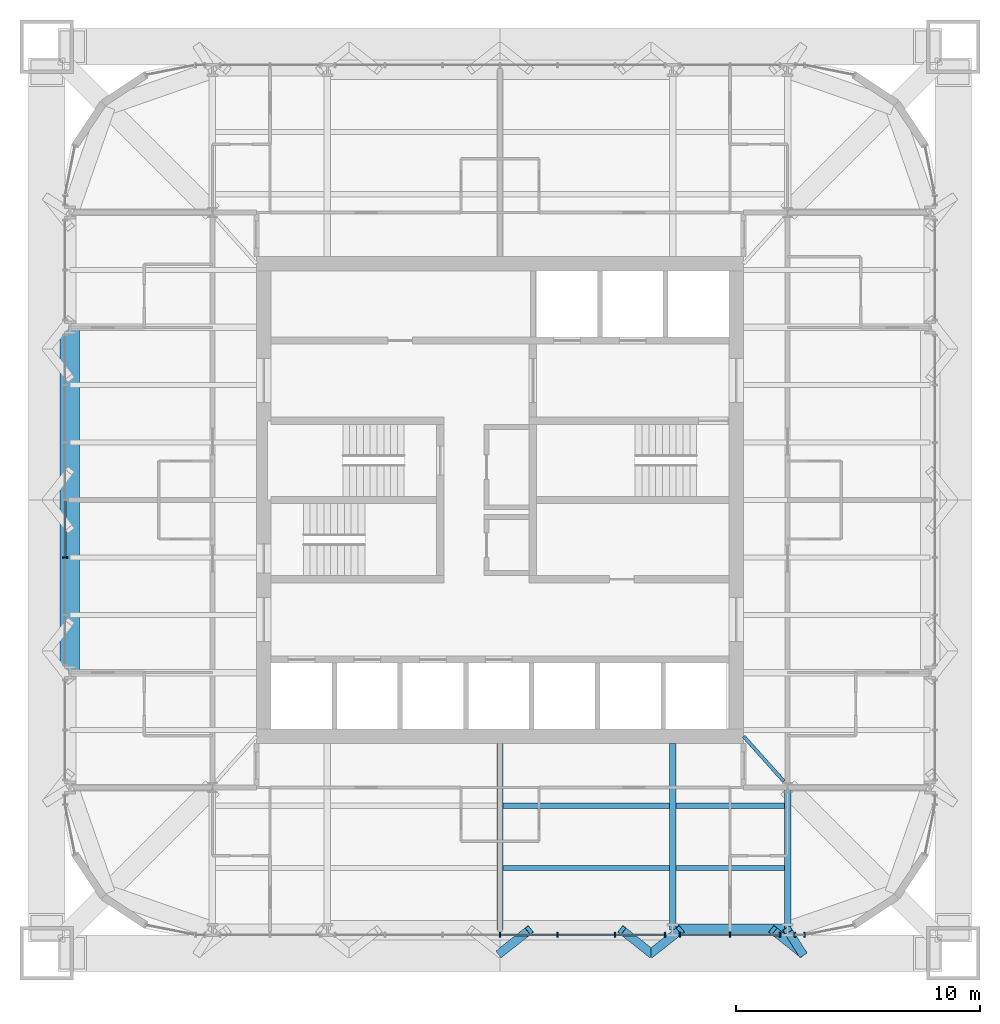
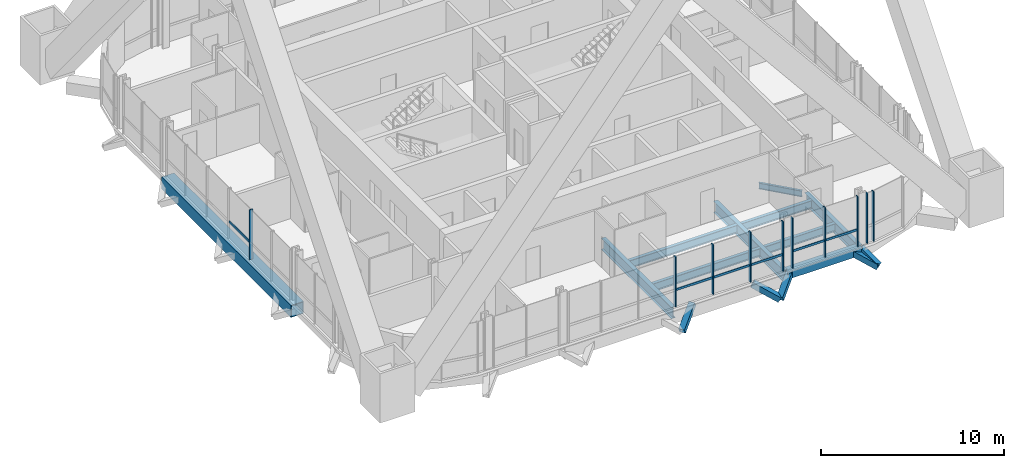
# One storey, part 4 of 23: 16 members, 15 beams, 4 elements without a shape of their own.
"""IFC4 building model written with IfcOpenShell, lengths in metres."""

from ifc_helpers import new_model, si_unit, direction, frame, origin, origin_2d, place, context, subcontext, project, spatial, rectangle, hollow_rectangle, i_section, extrude, material, material_profile, profile_set, type_object, element, aggregate, save


model = new_model("IFC4")

# Units and contexts
model_context = context("Model", 3, precision=1e-05, world=origin(), true_north=direction((0.0, 1.0)))
body_context = subcontext(model_context, "Body", "Model", "MODEL_VIEW")
ifc_project = project(units=[si_unit("LENGTHUNIT", "METRE"), si_unit("AREAUNIT", "SQUARE_METRE"), si_unit("VOLUMEUNIT", "CUBIC_METRE"), si_unit("PLANEANGLEUNIT", "RADIAN"), si_unit("MASSUNIT", "GRAM", prefix="KILO")], contexts=[model_context])

# Site, building, storey
site_placement = place(None, origin())
site = spatial("IfcSite", under=ifc_project, at=site_placement, CompositionType="ELEMENT")
building_placement = place(site_placement, origin())
building = spatial("IfcBuilding", under=site, at=building_placement, Name="Turquesa Mirador Hotel Tower", CompositionType="ELEMENT")
storey_placement = place(building_placement, frame((0.0, 0.0, 226.699951171875)))
storey = spatial("IfcBuildingStorey", under=building, at=storey_placement, Name="L61", CompositionType="ELEMENT", Elevation=226.699951171875)

# Beams
ifc_material_1 = material(Name="Steel ASTM A572 Grade 50", Category="steel")
ifc_material_profile_1 = material_profile(ifc_material_1, hollow_rectangle(XDim=0.5, YDim=0.5, WallThickness=0.031982421875, at=origin_2d()), Name="BOX500X500X32")
ifc_profile_set_1 = profile_set([ifc_material_profile_1], Name="Steel ASTM A572 Grade 50")
beam_type_1 = type_object("IfcBeamType", Name="BEAM BOX500X500X32", PredefinedType="BEAM", material=ifc_profile_set_1)
beam_1_placement = place(storey_placement, frame((62.080078125, 27.35009765625, -0.419921875), z_axis=(1.0, 0.0, 0.0), x_axis=(0.0, 1.0, 0.0)))
element("IfcBeam", 1, at=beam_1_placement, inside=storey, type_object=beam_type_1, Name="EB-L61-S-R", PredefinedType="BEAM", context=body_context, shape_type="SweptSolid", body=[
    extrude(hollow_rectangle(XDim=0.5, YDim=0.5, WallThickness=0.031982421875, at=origin_2d()), origin(), (0.0, 0.0, 1.0), 4.719970703125),
])
ifc_material_2 = material(Name="Steel ASTM A572 Grade 50", Category="steel")
ifc_material_profile_2 = material_profile(ifc_material_2, hollow_rectangle(XDim=0.800048828125, YDim=0.800048828125, WallThickness=0.030029296875, at=origin_2d()), Name="BOX800X800X30")
ifc_profile_set_2 = profile_set([ifc_material_profile_2], Name="Steel ASTM A572 Grade 50")
beam_type_2 = type_object("IfcBeamType", Name="BEAM BOX800X800X30", PredefinedType="BEAM", material=ifc_profile_set_2)
beam_2_placement = place(storey_placement, frame((37.35009765625, 37.919921875, -0.570068359375), z_axis=(0.0, 1.0, 0.0), x_axis=(-1.0, 0.0, 0.0)))
element("IfcBeam", 2, at=beam_2_placement, inside=storey, type_object=beam_type_2, Name="EB-L61-W-C", PredefinedType="BEAM", context=body_context, shape_type="SweptSolid", body=[
    extrude(hollow_rectangle(XDim=0.800048828125, YDim=0.800048828125, WallThickness=0.030029296875, at=origin_2d()), origin(), (0.0, 0.0, 1.0), 14.16015625),
])
ifc_material_3 = material(Name="Steel ASTM A992 Grade 50", Category="steel")
ifc_material_profile_3 = material_profile(ifc_material_3, i_section(OverallWidth=0.140380859375, OverallDepth=0.40380859375, WebThickness=0.007080078125, FlangeThickness=0.01123046875, at=origin_2d()), Name="W16X31")
ifc_profile_set_3 = profile_set([ifc_material_profile_3], Name="Steel ASTM A992 Grade 50")
beam_type_3 = type_object("IfcBeamType", Name="BEAM W16X31", PredefinedType="BEAM", material=ifc_profile_set_3)
beam_3_placement = place(storey_placement, frame((66.656494140625, 33.44873046875, -0.371826171875), z_axis=(-0.666806350186, 0.745231032198, 0.0), x_axis=(-0.745231032198, -0.666806350186, 0.0)))
element("IfcBeam", 3, at=beam_3_placement, inside=storey, type_object=beam_type_3, Name="KT-L61-4", PredefinedType="BEAM", context=body_context, shape_type="SweptSolid", body=[
    extrude(i_section(OverallWidth=0.140380859375, OverallDepth=0.40380859375, WebThickness=0.007080078125, FlangeThickness=0.01123046875, at=origin_2d()), origin(), (0.0, 0.0, 1.0), 2.484130859375),
])
ifc_material_4 = material(Name="Steel ASTM A992 Grade 50", Category="steel")
ifc_material_profile_4 = material_profile(ifc_material_4, i_section(OverallWidth=0.209228515625, OverallDepth=0.533447265625, WebThickness=0.01025390625, FlangeThickness=0.015625, at=origin_2d()), Name="W21X62")
ifc_profile_set_4 = profile_set([ifc_material_profile_4], Name="Steel ASTM A992 Grade 50")
beam_type_4 = type_object("IfcBeamType", Name="BEAM W21X62", PredefinedType="BEAM", material=ifc_profile_set_4)
beam_4_placement = place(storey_placement, frame((55.13330078125, 32.449951171875, -0.436767578125), z_axis=(1.0, 0.0, 0.0), x_axis=(0.0, 1.0, 0.0)))
element("IfcBeam", 4, at=beam_4_placement, inside=storey, type_object=beam_type_4, Name="IB-L61-S-1-2", PredefinedType="BEAM", context=body_context, shape_type="SweptSolid", body=[
    extrude(i_section(OverallWidth=0.209228515625, OverallDepth=0.533447265625, WebThickness=0.01025390625, FlangeThickness=0.015625, at=origin_2d()), origin(), (0.0, 0.0, 1.0), 6.813232421875),
])
beam_5_placement = place(storey_placement, frame((62.21337890625, 32.449951171875, -0.436767578125), z_axis=(1.0, 0.0, 0.0), x_axis=(0.0, 1.0, 0.0)))
element("IfcBeam", 5, at=beam_5_placement, inside=storey, type_object=beam_type_4, Name="IB-L61-S-1-3", PredefinedType="BEAM", context=body_context, shape_type="SweptSolid", body=[
    extrude(i_section(OverallWidth=0.209228515625, OverallDepth=0.533447265625, WebThickness=0.01025390625, FlangeThickness=0.015625, at=origin_2d()), origin(), (0.0, 0.0, 1.0), 4.453369140625),
])
beam_6_placement = place(storey_placement, frame((55.13330078125, 29.89990234375, -0.436767578125), z_axis=(1.0, 0.0, 0.0), x_axis=(0.0, 1.0, 0.0)))
element("IfcBeam", 6, at=beam_6_placement, inside=storey, type_object=beam_type_4, Name="IB-L61-S-2-2", PredefinedType="BEAM", context=body_context, shape_type="SweptSolid", body=[
    extrude(i_section(OverallWidth=0.209228515625, OverallDepth=0.533447265625, WebThickness=0.01025390625, FlangeThickness=0.015625, at=origin_2d()), origin(), (0.0, 0.0, 1.0), 6.813232421875),
])
beam_7_placement = place(storey_placement, frame((62.21337890625, 29.89990234375, -0.436767578125), z_axis=(1.0, 0.0, 0.0), x_axis=(0.0, 1.0, 0.0)))
element("IfcBeam", 7, at=beam_7_placement, inside=storey, type_object=beam_type_4, Name="IB-L61-S-2-3", PredefinedType="BEAM", context=body_context, shape_type="SweptSolid", body=[
    extrude(i_section(OverallWidth=0.209228515625, OverallDepth=0.533447265625, WebThickness=0.01025390625, FlangeThickness=0.015625, at=origin_2d()), origin(), (0.0, 0.0, 1.0), 4.453369140625),
])
ifc_material_5 = material(Name="Steel ASTM A992 Grade 50", Category="steel")
ifc_material_profile_5 = material_profile(ifc_material_5, i_section(OverallWidth=0.2666015625, OverallDepth=0.7568359375, WebThickness=0.013916015625, FlangeThickness=0.019287109375, at=origin_2d()), Name="W30X108")
ifc_profile_set_5 = profile_set([ifc_material_profile_5], Name="Steel ASTM A992 Grade 50")
beam_type_5 = type_object("IfcBeamType", Name="BEAM W30X108", PredefinedType="BEAM", material=ifc_profile_set_5)
for number, where, z_axis, x_axis, name in (
    (8, (62.080078125, 27.35009765625, -0.54833984375), (0.0, 1.0, 0.0), (-1.0, 0.0, 0.0), "GD-L61-S-+7.08"),
    (9, (55.0, 27.35009765625, -0.54833984375), (0.0, 1.0, 0.0), (-1.0, 0.0, 0.0), "GD-L61-S-+0.00"),
):
    element("IfcBeam", number, at=place(storey_placement, frame(where, z_axis=z_axis, x_axis=x_axis)), inside=storey, type_object=beam_type_5, Name=name, PredefinedType="BEAM", context=body_context, shape_type="SweptSolid", body=[
        extrude(i_section(OverallWidth=0.2666015625, OverallDepth=0.7568359375, WebThickness=0.013916015625, FlangeThickness=0.019287109375, at=origin_2d()), origin(), (0.0, 0.0, 1.0), 7.64990234375),
    ])
beam_8_placement = place(storey_placement, frame((66.800048828125, 27.35009765625, -0.54833984375), z_axis=(0.0, 1.0, 0.0), x_axis=(-1.0, 0.0, 0.0)))
element("IfcBeam", 10, at=beam_8_placement, inside=storey, type_object=beam_type_5, Name="GK-L61-S-+11.80", PredefinedType="BEAM", context=body_context, shape_type="SweptSolid", body=[
    extrude(i_section(OverallWidth=0.2666015625, OverallDepth=0.7568359375, WebThickness=0.013916015625, FlangeThickness=0.019287109375, at=origin_2d()), origin(), (0.0, 0.0, 1.0), 5.849853515625),
])
ifc_material_6 = material(Name="Steel ASTM A500 Grade C", Category="steel")
ifc_material_profile_6 = material_profile(ifc_material_6, hollow_rectangle(XDim=0.355712890625, YDim=0.355712890625, WallThickness=0.0146484375, at=origin_2d()), Name="HSS14X14X5/8")
ifc_profile_set_6 = profile_set([ifc_material_profile_6], Name="Steel ASTM A500 Grade C")
beam_type_6 = type_object("IfcBeamType", Name="BRACE STRUT HSS14X14X5/8", PredefinedType="BEAM", material=ifc_profile_set_6)
for number, where, z_axis, x_axis, name in (
    (11, (55.0, 26.39990234375, -1.199951171875), (0.684941954003, 0.542379264492, 0.486496919924), (-0.620796907089, 0.783971428146, 0.0), "Brace strut"),
    (12, (61.199951171875, 26.39990234375, -1.199951171875), (-0.684941954003, 0.542379264492, 0.486496919924), (-0.620796907089, -0.783971428146, 0.0), "Brace strut"),
    (13, (61.199951171875, 26.39990234375, -1.199951171875), (0.684941954003, 0.542379264492, 0.486496919924), (-0.620796907089, 0.783971428146, 0.0), "Brace strut"),
    (14, (67.39990234375, 26.39990234375, -1.199951171875), (-0.684941954003, 0.542379264492, 0.486496919924), (-0.620796907089, -0.783971428146, 0.0), "Brace strut"),
):
    element("IfcBeam", number, at=place(storey_placement, frame(where, z_axis=z_axis, x_axis=x_axis)), inside=storey, type_object=beam_type_6, Name=name, PredefinedType="BEAM", context=body_context, shape_type="SweptSolid", body=[
        extrude(hollow_rectangle(XDim=0.355712890625, YDim=0.355712890625, WallThickness=0.0146484375, at=origin_2d()), origin(), (0.0, 0.0, 1.0), 1.751953125),
    ])
beam_9_placement = place(storey_placement, frame((67.39990234375, 26.39990234375, -1.199951171875), z_axis=(-0.425320857531, 0.673727626174, 0.604312215564), x_axis=(-0.845597303237, -0.53382131913, 0.0)))
element("IfcBeam", 15, at=beam_9_placement, inside=storey, type_object=beam_type_6, Name="Brace strut", PredefinedType="BEAM", context=body_context, shape_type="SweptSolid", body=[
    extrude(hollow_rectangle(XDim=0.355712890625, YDim=0.355712890625, WallThickness=0.0146484375, at=origin_2d()), origin(), (0.0, 0.0, 1.0), 1.410400390625),
])

# Curtain wall, member
ifc_material_7 = material(Name="Aluminium extrusion", Category="aluminium")
curtain_wall_type = type_object("IfcCurtainWallType", Name="CW-4 SUITE FRITTED CURTAIN WALL", PredefinedType="USERDEFINED", material=ifc_material_7)
curtain_wall_1_placement = place(storey_placement, origin())
curtain_wall_1 = element("IfcCurtainWall", 16, at=curtain_wall_1_placement, inside=storey, type_object=curtain_wall_type, Name="CW-4 SUITE FRITTED CURTAIN WALL L61", ObjectType="CURTAIN WALL", PredefinedType="USERDEFINED")
ifc_material_8 = material(Name="Aluminium extrusion", Category="aluminium")
ifc_material_profile_7 = material_profile(ifc_material_8, rectangle(XDim=0.06494140625, YDim=0.199951171875, at=origin_2d()), Name="MULLION 65X200")
ifc_profile_set_7 = profile_set([ifc_material_profile_7], Name="Aluminium extrusion")
member_type_1 = type_object("IfcMemberType", Name="CW MULLION 65X200", PredefinedType="MULLION", material=ifc_profile_set_7)
member_1_placement = place(storey_placement, frame((37.14990234375, 42.639892578125, 0.0), z_axis=(0.0, 0.0, 1.0), x_axis=(0.0, -1.0, 0.0)))
member_1 = element("IfcMember", 17, at=member_1_placement, type_object=member_type_1, Name="Mullion", PredefinedType="MULLION", context=body_context, shape_type="SweptSolid", body=[
    extrude(rectangle(XDim=0.06494140625, YDim=0.199951171875, at=origin_2d()), origin(), (0.0, 0.0, 1.0), 3.330078125),
])

# Curtain wall, members
curtain_wall_2_placement = place(storey_placement, origin())
curtain_wall_2 = element("IfcCurtainWall", 18, at=curtain_wall_2_placement, inside=storey, type_object=curtain_wall_type, Name="CW-4 SUITE FRITTED CURTAIN WALL L61", ObjectType="CURTAIN WALL", PredefinedType="USERDEFINED")
member_2_placement = place(storey_placement, frame((55.0, 27.14990234375, 0.0), z_axis=(0.0, 0.0, 1.0), x_axis=(1.0, 0.0, 0.0)))
member_2 = element("IfcMember", 19, at=member_2_placement, type_object=member_type_1, Name="Mullion", PredefinedType="MULLION", context=body_context, shape_type="SweptSolid", body=[
    extrude(rectangle(XDim=0.06494140625, YDim=0.199951171875, at=origin_2d()), origin(), (0.0, 0.0, 1.0), 3.330078125),
])
member_3_placement = place(storey_placement, frame((57.360107421875, 27.14990234375, 0.0), z_axis=(0.0, 0.0, 1.0), x_axis=(1.0, 0.0, 0.0)))
member_3 = element("IfcMember", 20, at=member_3_placement, type_object=member_type_1, Name="Mullion", PredefinedType="MULLION", context=body_context, shape_type="SweptSolid", body=[
    extrude(rectangle(XDim=0.06494140625, YDim=0.199951171875, at=origin_2d()), origin(), (0.0, 0.0, 1.0), 3.330078125),
])
member_4_placement = place(storey_placement, frame((59.719970703125, 27.14990234375, 0.0), z_axis=(0.0, 0.0, 1.0), x_axis=(1.0, 0.0, 0.0)))
member_4 = element("IfcMember", 21, at=member_4_placement, type_object=member_type_1, Name="Mullion", PredefinedType="MULLION", context=body_context, shape_type="SweptSolid", body=[
    extrude(rectangle(XDim=0.06494140625, YDim=0.199951171875, at=origin_2d()), origin(), (0.0, 0.0, 1.0), 3.330078125),
])
member_5_placement = place(storey_placement, frame((61.780029296875, 27.14990234375, 0.0), z_axis=(0.0, 0.0, 1.0), x_axis=(1.0, 0.0, 0.0)))
member_5 = element("IfcMember", 22, at=member_5_placement, type_object=member_type_1, Name="Mullion", PredefinedType="MULLION", context=body_context, shape_type="SweptSolid", body=[
    extrude(rectangle(XDim=0.06494140625, YDim=0.199951171875, at=origin_2d()), origin(), (0.0, 0.0, 1.0), 3.330078125),
])

curtain_wall_3_placement = place(storey_placement, origin())
curtain_wall_3 = element("IfcCurtainWall", 23, at=curtain_wall_3_placement, inside=storey, type_object=curtain_wall_type, Name="CW-4 SUITE FRITTED CURTAIN WALL L61", ObjectType="CURTAIN WALL", PredefinedType="USERDEFINED")
member_6_placement = place(storey_placement, frame((62.3798828125, 27.14990234375, 0.0), z_axis=(0.0, 0.0, 1.0), x_axis=(1.0, 0.0, 0.0)))
member_6 = element("IfcMember", 24, at=member_6_placement, type_object=member_type_1, Name="Mullion", PredefinedType="MULLION", context=body_context, shape_type="SweptSolid", body=[
    extrude(rectangle(XDim=0.06494140625, YDim=0.199951171875, at=origin_2d()), origin(), (0.0, 0.0, 1.0), 3.330078125),
])
member_7_placement = place(storey_placement, frame((64.43994140625, 27.14990234375, 0.0), z_axis=(0.0, 0.0, 1.0), x_axis=(1.0, 0.0, 0.0)))
member_7 = element("IfcMember", 25, at=member_7_placement, type_object=member_type_1, Name="Mullion", PredefinedType="MULLION", context=body_context, shape_type="SweptSolid", body=[
    extrude(rectangle(XDim=0.06494140625, YDim=0.199951171875, at=origin_2d()), origin(), (0.0, 0.0, 1.0), 3.330078125),
])
member_8_placement = place(storey_placement, frame((66.5, 27.14990234375, 0.0), z_axis=(0.0, 0.0, 1.0), x_axis=(1.0, 0.0, 0.0)))
member_8 = element("IfcMember", 26, at=member_8_placement, type_object=member_type_1, Name="Mullion", PredefinedType="MULLION", context=body_context, shape_type="SweptSolid", body=[
    extrude(rectangle(XDim=0.06494140625, YDim=0.199951171875, at=origin_2d()), origin(), (0.0, 0.0, 1.0), 3.330078125),
])

curtain_wall_4_placement = place(storey_placement, origin())
curtain_wall_4 = element("IfcCurtainWall", 27, at=curtain_wall_4_placement, inside=storey, type_object=curtain_wall_type, Name="CW-4 SUITE FRITTED CURTAIN WALL L61", ObjectType="CURTAIN WALL", PredefinedType="USERDEFINED")
member_9_placement = place(storey_placement, frame((67.099853515625, 27.14990234375, 0.0), z_axis=(0.0, 0.0, 1.0), x_axis=(1.0, 0.0, 0.0)))
member_9 = element("IfcMember", 28, at=member_9_placement, type_object=member_type_1, Name="Mullion", PredefinedType="MULLION", context=body_context, shape_type="SweptSolid", body=[
    extrude(rectangle(XDim=0.06494140625, YDim=0.199951171875, at=origin_2d()), origin(), (0.0, 0.0, 1.0), 3.330078125),
])
member_10_placement = place(storey_placement, frame((67.5, 27.14990234375, 0.0), z_axis=(0.0, 0.0, 1.0), x_axis=(1.0, 0.0, 0.0)))
member_10 = element("IfcMember", 29, at=member_10_placement, type_object=member_type_1, Name="Mullion", PredefinedType="MULLION", context=body_context, shape_type="SweptSolid", body=[
    extrude(rectangle(XDim=0.06494140625, YDim=0.199951171875, at=origin_2d()), origin(), (0.0, 0.0, 1.0), 3.330078125),
])
aggregate(curtain_wall_4, [member_9, member_10])

# Member
ifc_material_9 = material(Name="Aluminium extrusion", Category="aluminium")
ifc_material_profile_8 = material_profile(ifc_material_9, rectangle(XDim=0.06494140625, YDim=0.14990234375, at=origin_2d()), Name="TRANSOM 65X150")
ifc_profile_set_8 = profile_set([ifc_material_profile_8], Name="Aluminium extrusion")
member_type_2 = type_object("IfcMemberType", Name="CW TRANSOM 65X150", PredefinedType="USERDEFINED", material=ifc_profile_set_8)
member_11_placement = place(storey_placement, frame((37.14990234375, 44.967529296875, 1.10009765625), z_axis=(0.0, -1.0, 0.0), x_axis=(1.0, 0.0, 0.0)))
member_11 = element("IfcMember", 30, at=member_11_placement, type_object=member_type_2, Name="Transom", ObjectType="TRANSOM", PredefinedType="USERDEFINED", context=body_context, shape_type="SweptSolid", body=[
    extrude(rectangle(XDim=0.06494140625, YDim=0.14990234375, at=origin_2d()), origin(), (0.0, 0.0, 1.0), 2.294921875),
])

aggregate(curtain_wall_1, [member_1, member_11])

member_12_placement = place(storey_placement, frame((55.032470703125, 27.14990234375, 1.10009765625), z_axis=(1.0, 0.0, 0.0), x_axis=(0.0, 1.0, 0.0)))
member_12 = element("IfcMember", 31, at=member_12_placement, type_object=member_type_2, Name="Transom", ObjectType="TRANSOM", PredefinedType="USERDEFINED", context=body_context, shape_type="SweptSolid", body=[
    extrude(rectangle(XDim=0.06494140625, YDim=0.14990234375, at=origin_2d()), origin(), (0.0, 0.0, 1.0), 2.294921875),
])

member_13_placement = place(storey_placement, frame((57.392578125, 27.14990234375, 1.10009765625), z_axis=(1.0, 0.0, 0.0), x_axis=(0.0, 1.0, 0.0)))
member_13 = element("IfcMember", 32, at=member_13_placement, type_object=member_type_2, Name="Transom", ObjectType="TRANSOM", PredefinedType="USERDEFINED", context=body_context, shape_type="SweptSolid", body=[
    extrude(rectangle(XDim=0.06494140625, YDim=0.14990234375, at=origin_2d()), origin(), (0.0, 0.0, 1.0), 2.294921875),
])

member_14_placement = place(storey_placement, frame((59.75244140625, 27.14990234375, 1.10009765625), z_axis=(1.0, 0.0, 0.0), x_axis=(0.0, 1.0, 0.0)))
member_14 = element("IfcMember", 33, at=member_14_placement, type_object=member_type_2, Name="Transom", ObjectType="TRANSOM", PredefinedType="USERDEFINED", context=body_context, shape_type="SweptSolid", body=[
    extrude(rectangle(XDim=0.06494140625, YDim=0.14990234375, at=origin_2d()), origin(), (0.0, 0.0, 1.0), 1.9951171875),
])

aggregate(curtain_wall_2, [member_2, member_3, member_4, member_5, member_12, member_13, member_14])

member_15_placement = place(storey_placement, frame((62.412353515625, 27.14990234375, 1.10009765625), z_axis=(1.0, 0.0, 0.0), x_axis=(0.0, 1.0, 0.0)))
member_15 = element("IfcMember", 34, at=member_15_placement, type_object=member_type_2, Name="Transom", ObjectType="TRANSOM", PredefinedType="USERDEFINED", context=body_context, shape_type="SweptSolid", body=[
    extrude(rectangle(XDim=0.06494140625, YDim=0.14990234375, at=origin_2d()), origin(), (0.0, 0.0, 1.0), 1.9951171875),
])

member_16_placement = place(storey_placement, frame((64.472412109375, 27.14990234375, 1.10009765625), z_axis=(1.0, 0.0, 0.0), x_axis=(0.0, 1.0, 0.0)))
member_16 = element("IfcMember", 35, at=member_16_placement, type_object=member_type_2, Name="Transom", ObjectType="TRANSOM", PredefinedType="USERDEFINED", context=body_context, shape_type="SweptSolid", body=[
    extrude(rectangle(XDim=0.06494140625, YDim=0.14990234375, at=origin_2d()), origin(), (0.0, 0.0, 1.0), 1.9951171875),
])

aggregate(curtain_wall_3, [member_6, member_7, member_8, member_15, member_16])

save(model, "model.ifc")
